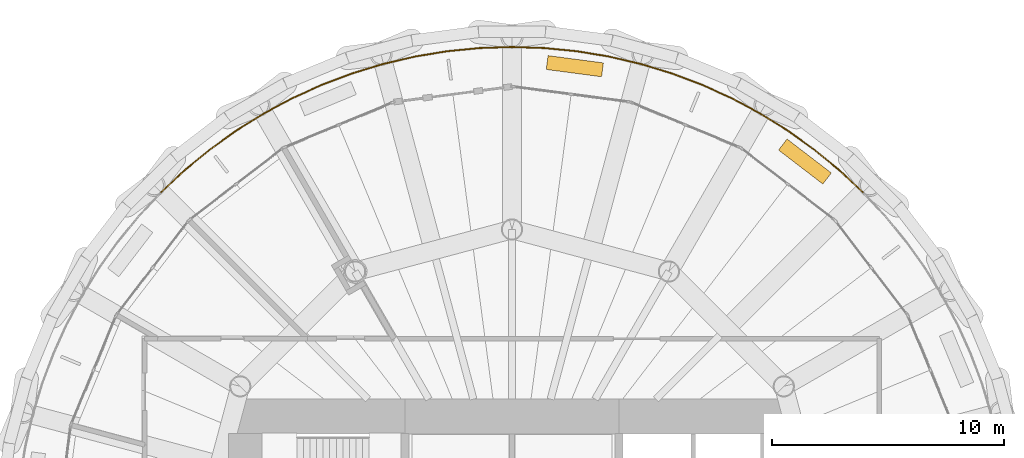
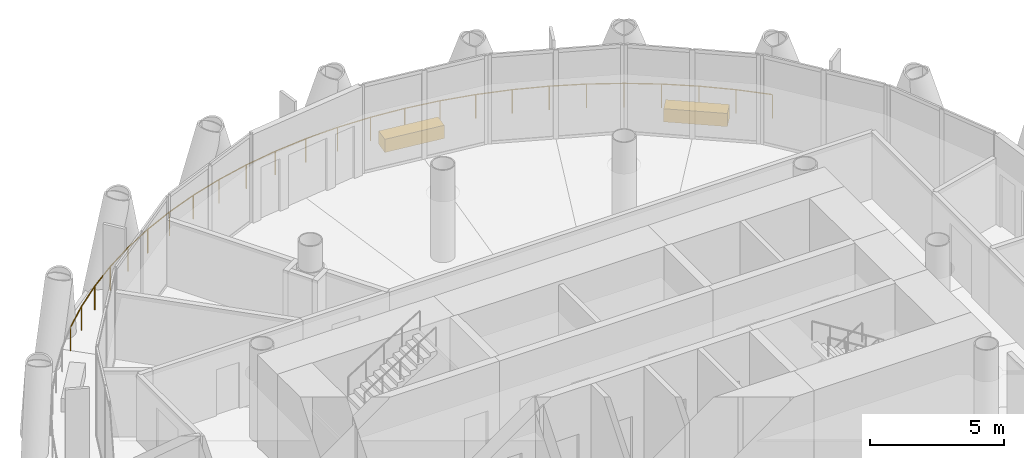
# One storey, part 15 of 15: 2 coverings, 1 railing.
"""IFC4 building model written with IfcOpenShell, lengths in metres."""

from ifc_helpers import new_model, si_unit, direction, frame, origin, origin_2d, place, context, subcontext, project, spatial, rectangle, circle, extrude, material, layer, layer_set, type_object, element, save


model = new_model("IFC4")

# Units and contexts
model_context = context("Model", 3, precision=1e-05, world=origin(), true_north=direction((0.0, 1.0)))
body_context = subcontext(model_context, "Body", "Model", "MODEL_VIEW")
ifc_project = project(units=[si_unit("LENGTHUNIT", "METRE"), si_unit("AREAUNIT", "SQUARE_METRE"), si_unit("VOLUMEUNIT", "CUBIC_METRE"), si_unit("PLANEANGLEUNIT", "RADIAN"), si_unit("MASSUNIT", "GRAM", prefix="KILO")], contexts=[model_context])

# Site, building, storey
site_placement = place(None, origin())
site = spatial("IfcSite", under=ifc_project, at=site_placement, CompositionType="ELEMENT")
building_placement = place(site_placement, origin())
building = spatial("IfcBuilding", under=site, at=building_placement, Name="Qaws Media Tower", CompositionType="ELEMENT")
storey_placement = place(building_placement, frame((0.0, 0.0, 257.0)))
storey = spatial("IfcBuildingStorey", under=building, at=storey_placement, Name="L59", CompositionType="ELEMENT", Elevation=257.0)

# Railing
ifc_material_1 = material(Name="Stainless steel and glass guard", Category="steel")
railing_type = type_object("IfcRailingType", Name="Balcony guard 1100", PredefinedType="GUARDRAIL", material=ifc_material_1)
railing_placement = place(storey_placement, frame((75.0966796875, 65.0966796875, 0.0)))
element("IfcRailing", 1, at=railing_placement, inside=storey, type_object=railing_type, Name="GR1 balcony guard L59-1", PredefinedType="GUARDRAIL", context=body_context, shape_type="SweptSolid", body=[
    extrude(circle(Radius=0.02392578125, at=origin_2d()), frame((0.0, 0.0, 1.076171875), z_axis=(-0.729798746141, 0.683662043799, 0.0), x_axis=(-0.683662043799, -0.729798746141, 0.0)), (0.0, 0.0, 1.0), 1.39697265625),
    extrude(circle(Radius=0.02392578125, at=origin_2d()), frame((-1.01953125, 0.955078125, 1.076171875), z_axis=(-0.773068976107, 0.634321967285, 0.0), x_axis=(-0.634321967285, -0.773068976107, 0.0)), (0.0, 0.0, 1.0), 1.397216796875),
    extrude(circle(Radius=0.02392578125, at=origin_2d()), frame((-2.099609375, 1.84130859375, 1.076171875), z_axis=(-0.81281161233, 0.58252663704, 0.0), x_axis=(-0.58252663704, -0.81281161233, 0.0)), (0.0, 0.0, 1.0), 1.397216796875),
    extrude(circle(Radius=0.02392578125, at=origin_2d()), frame((-3.2353515625, 2.6552734375, 1.076171875), z_axis=(-0.849164590806, 0.528128296649, 0.0), x_axis=(-0.528128296649, -0.849164590806, 0.0)), (0.0, 0.0, 1.0), 1.39697265625),
    extrude(circle(Radius=0.02392578125, at=origin_2d()), frame((-4.421630859375, 3.39306640625, 1.076171875), z_axis=(-0.881970494844, 0.471304621477, 0.0), x_axis=(-0.471304621477, -0.881970494844, 0.0)), (0.0, 0.0, 1.0), 1.39697265625),
    extrude(circle(Radius=0.02392578125, at=origin_2d()), frame((-5.65380859375, 4.051513671875, 1.076171875), z_axis=(-0.910832714428, 0.412775685242, 0.0), x_axis=(-0.412775685242, -0.910832714428, 0.0)), (0.0, 0.0, 1.0), 1.39697265625),
    extrude(circle(Radius=0.02392578125, at=origin_2d()), frame((-6.92626953125, 4.628173828125, 1.076171875), z_axis=(-0.935897611398, 0.352272140511, 0.0), x_axis=(-0.352272140511, -0.935897611398, 0.0)), (0.0, 0.0, 1.0), 1.397216796875),
    extrude(circle(Radius=0.02392578125, at=origin_2d()), frame((-8.23388671875, 5.120361328125, 1.076171875), z_axis=(-0.956946473361, 0.290264443435, 0.0), x_axis=(-0.290264443435, -0.956946473361, 0.0)), (0.0, 0.0, 1.0), 1.39697265625),
    extrude(circle(Radius=0.02392578125, at=origin_2d()), frame((-9.57080078125, 5.52587890625, 1.076171875), z_axis=(-0.973894032594, 0.227003112926, 0.0), x_axis=(-0.227003112926, -0.973894032594, 0.0)), (0.0, 0.0, 1.0), 1.39697265625),
    extrude(circle(Radius=0.02392578125, at=origin_2d()), frame((-10.931396484375, 5.843017578125, 1.076171875), z_axis=(-0.986652414067, 0.162840455093, 0.0), x_axis=(-0.162840455093, -0.986652414067, 0.0)), (0.0, 0.0, 1.0), 1.397216796875),
    extrude(circle(Radius=0.02392578125, at=origin_2d()), frame((-12.31005859375, 6.070556640625, 1.076171875), z_axis=(-0.995183167582, 0.098032968747, 0.0), x_axis=(-0.098032968747, -0.995183167582, 0.0)), (0.0, 0.0, 1.0), 1.397216796875),
    extrude(circle(Radius=0.02392578125, at=origin_2d()), frame((-13.700439453125, 6.20751953125, 1.076171875), z_axis=(-0.999460124398, 0.032855132608, 0.0), x_axis=(-0.032855132608, -0.999460124398, 0.0)), (0.0, 0.0, 1.0), 1.39697265625),
    extrude(circle(Radius=0.02392578125, at=origin_2d()), frame((-15.0966796875, 6.25341796875, 1.076171875), z_axis=(-0.999460124398, -0.032855132608, 0.0), x_axis=(0.032855132608, -0.999460124398, 0.0)), (0.0, 0.0, 1.0), 1.39697265625),
    extrude(circle(Radius=0.02392578125, at=origin_2d()), frame((-16.492919921875, 6.20751953125, 1.076171875), z_axis=(-0.995183167582, -0.098032968747, 0.0), x_axis=(0.098032968747, -0.995183167582, 0.0)), (0.0, 0.0, 1.0), 1.397216796875),
    extrude(circle(Radius=0.02392578125, at=origin_2d()), frame((-17.88330078125, 6.070556640625, 1.076171875), z_axis=(-0.986652414067, -0.162840455093, 0.0), x_axis=(0.162840455093, -0.986652414067, 0.0)), (0.0, 0.0, 1.0), 1.397216796875),
    extrude(circle(Radius=0.02392578125, at=origin_2d()), frame((-19.261962890625, 5.843017578125, 1.076171875), z_axis=(-0.973894032594, -0.227003112926, 0.0), x_axis=(0.227003112926, -0.973894032594, 0.0)), (0.0, 0.0, 1.0), 1.39697265625),
    extrude(circle(Radius=0.02392578125, at=origin_2d()), frame((-20.62255859375, 5.52587890625, 1.076171875), z_axis=(-0.956946473361, -0.290264443435, 0.0), x_axis=(0.290264443435, -0.956946473361, 0.0)), (0.0, 0.0, 1.0), 1.39697265625),
    extrude(circle(Radius=0.02392578125, at=origin_2d()), frame((-21.95947265625, 5.120361328125, 1.076171875), z_axis=(-0.935897611398, -0.352272140511, 0.0), x_axis=(0.352272140511, -0.935897611398, 0.0)), (0.0, 0.0, 1.0), 1.397216796875),
    extrude(circle(Radius=0.02392578125, at=origin_2d()), frame((-23.26708984375, 4.628173828125, 1.076171875), z_axis=(-0.910832714428, -0.412775685242, 0.0), x_axis=(0.412775685242, -0.910832714428, 0.0)), (0.0, 0.0, 1.0), 1.39697265625),
    extrude(circle(Radius=0.02392578125, at=origin_2d()), frame((-24.53955078125, 4.051513671875, 1.076171875), z_axis=(-0.881970494844, -0.471304621477, 0.0), x_axis=(0.471304621477, -0.881970494844, 0.0)), (0.0, 0.0, 1.0), 1.39697265625),
    extrude(circle(Radius=0.02392578125, at=origin_2d()), frame((-25.771728515625, 3.39306640625, 1.076171875), z_axis=(-0.849164590806, -0.528128296649, 0.0), x_axis=(0.528128296649, -0.849164590806, 0.0)), (0.0, 0.0, 1.0), 1.39697265625),
    extrude(circle(Radius=0.02392578125, at=origin_2d()), frame((-26.9580078125, 2.6552734375, 1.076171875), z_axis=(-0.81281161233, -0.58252663704, 0.0), x_axis=(0.58252663704, -0.81281161233, 0.0)), (0.0, 0.0, 1.0), 1.397216796875),
    extrude(circle(Radius=0.02392578125, at=origin_2d()), frame((-28.09375, 1.84130859375, 1.076171875), z_axis=(-0.773068976107, -0.634321967285, 0.0), x_axis=(0.634321967285, -0.773068976107, 0.0)), (0.0, 0.0, 1.0), 1.397216796875),
    extrude(circle(Radius=0.02392578125, at=origin_2d()), frame((-29.173828125, 0.955078125, 1.076171875), z_axis=(-0.729798746141, -0.683662043799, 0.0), x_axis=(0.683662043799, -0.729798746141, 0.0)), (0.0, 0.0, 1.0), 1.39697265625),
    extrude(circle(Radius=0.02099609375, at=origin_2d()), origin(), (0.0, 0.0, 1.0), 1.052001953125),
    extrude(circle(Radius=0.02099609375, at=origin_2d()), frame((-1.01953125, 0.955078125, 0.0)), (0.0, 0.0, 1.0), 1.052001953125),
    extrude(circle(Radius=0.02099609375, at=origin_2d()), frame((-2.099609375, 1.84130859375, 0.0)), (0.0, 0.0, 1.0), 1.052001953125),
    extrude(circle(Radius=0.02099609375, at=origin_2d()), frame((-3.2353515625, 2.6552734375, 0.0)), (0.0, 0.0, 1.0), 1.052001953125),
    extrude(circle(Radius=0.02099609375, at=origin_2d()), frame((-4.421630859375, 3.39306640625, 0.0)), (0.0, 0.0, 1.0), 1.052001953125),
    extrude(circle(Radius=0.02099609375, at=origin_2d()), frame((-5.65380859375, 4.051513671875, 0.0)), (0.0, 0.0, 1.0), 1.052001953125),
    extrude(circle(Radius=0.02099609375, at=origin_2d()), frame((-6.92626953125, 4.628173828125, 0.0)), (0.0, 0.0, 1.0), 1.052001953125),
    extrude(circle(Radius=0.02099609375, at=origin_2d()), frame((-8.23388671875, 5.120361328125, 0.0)), (0.0, 0.0, 1.0), 1.052001953125),
    extrude(circle(Radius=0.02099609375, at=origin_2d()), frame((-9.57080078125, 5.52587890625, 0.0)), (0.0, 0.0, 1.0), 1.052001953125),
    extrude(circle(Radius=0.02099609375, at=origin_2d()), frame((-10.931396484375, 5.843017578125, 0.0)), (0.0, 0.0, 1.0), 1.052001953125),
    extrude(circle(Radius=0.02099609375, at=origin_2d()), frame((-12.31005859375, 6.070556640625, 0.0)), (0.0, 0.0, 1.0), 1.052001953125),
    extrude(circle(Radius=0.02099609375, at=origin_2d()), frame((-13.700439453125, 6.20751953125, 0.0)), (0.0, 0.0, 1.0), 1.052001953125),
    extrude(circle(Radius=0.02099609375, at=origin_2d()), frame((-15.0966796875, 6.25341796875, 0.0)), (0.0, 0.0, 1.0), 1.052001953125),
    extrude(circle(Radius=0.02099609375, at=origin_2d()), frame((-16.492919921875, 6.20751953125, 0.0)), (0.0, 0.0, 1.0), 1.052001953125),
    extrude(circle(Radius=0.02099609375, at=origin_2d()), frame((-17.88330078125, 6.070556640625, 0.0)), (0.0, 0.0, 1.0), 1.052001953125),
    extrude(circle(Radius=0.02099609375, at=origin_2d()), frame((-19.261962890625, 5.843017578125, 0.0)), (0.0, 0.0, 1.0), 1.052001953125),
    extrude(circle(Radius=0.02099609375, at=origin_2d()), frame((-20.62255859375, 5.52587890625, 0.0)), (0.0, 0.0, 1.0), 1.052001953125),
    extrude(circle(Radius=0.02099609375, at=origin_2d()), frame((-21.95947265625, 5.120361328125, 0.0)), (0.0, 0.0, 1.0), 1.052001953125),
    extrude(circle(Radius=0.02099609375, at=origin_2d()), frame((-23.26708984375, 4.628173828125, 0.0)), (0.0, 0.0, 1.0), 1.052001953125),
    extrude(circle(Radius=0.02099609375, at=origin_2d()), frame((-24.53955078125, 4.051513671875, 0.0)), (0.0, 0.0, 1.0), 1.052001953125),
    extrude(circle(Radius=0.02099609375, at=origin_2d()), frame((-25.771728515625, 3.39306640625, 0.0)), (0.0, 0.0, 1.0), 1.052001953125),
    extrude(circle(Radius=0.02099609375, at=origin_2d()), frame((-26.9580078125, 2.6552734375, 0.0)), (0.0, 0.0, 1.0), 1.052001953125),
    extrude(circle(Radius=0.02099609375, at=origin_2d()), frame((-28.09375, 1.84130859375, 0.0)), (0.0, 0.0, 1.0), 1.052001953125),
    extrude(circle(Radius=0.02099609375, at=origin_2d()), frame((-29.173828125, 0.955078125, 0.0)), (0.0, 0.0, 1.0), 1.052001953125),
    extrude(circle(Radius=0.02099609375, at=origin_2d()), frame((-30.193359375, 0.0, 0.0)), (0.0, 0.0, 1.0), 1.052001953125),
])

# Coverings
ifc_material_2 = material(Name="Precast concrete planter with trailing planting", Category="concrete")
ifc_layer = layer(ifc_material_2, 0.60009765625)
ifc_layer_set = layer_set([ifc_layer], Name="Planter 2400x600")
covering_type = type_object("IfcCoveringType", Name="Planter 2400x600", PredefinedType="USERDEFINED", material=ifc_layer_set)
for number, where, z_axis, x_axis, name in (
    (2, (72.601318359375, 66.42236328125, 0.0), (0.0, 0.0, 1.0), (-0.793353340291, 0.608761429009, 0.0), "PL1 balcony planter L59-02"),
    (3, (62.701904296875, 70.52294921875, 0.0), (0.0, 0.0, 1.0), (-0.991444861374, 0.13052619222, 0.0), "PL1 balcony planter L59-03"),
):
    element("IfcCovering", number, at=place(storey_placement, frame(where, z_axis=z_axis, x_axis=x_axis)), inside=storey, type_object=covering_type, Name=name, ObjectType="PLANTER", PredefinedType="USERDEFINED", context=body_context, shape_type="SweptSolid", body=[
        extrude(rectangle(XDim=2.39990234375, YDim=0.60009765625, at=origin_2d()), origin(), (0.0, 0.0, 1.0), 0.60009765625),
    ])

save(model, "model.ifc")
